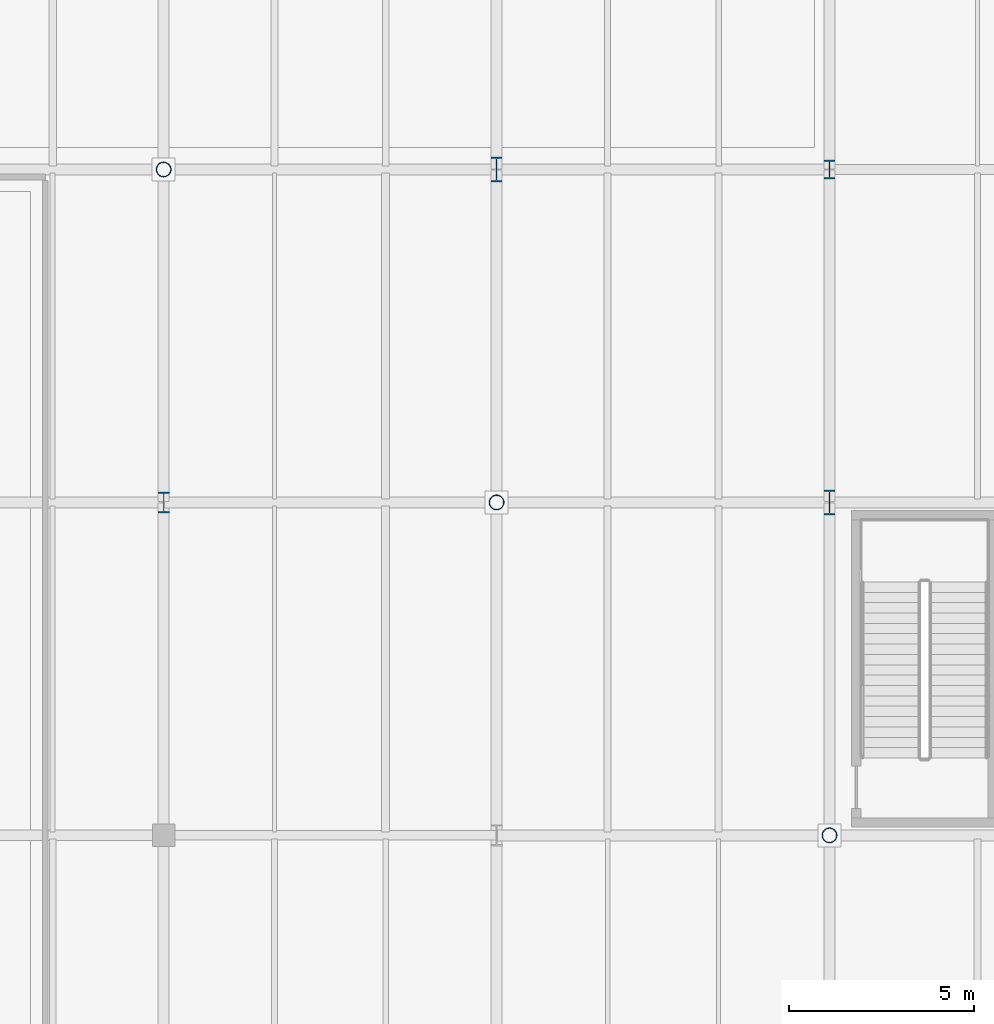
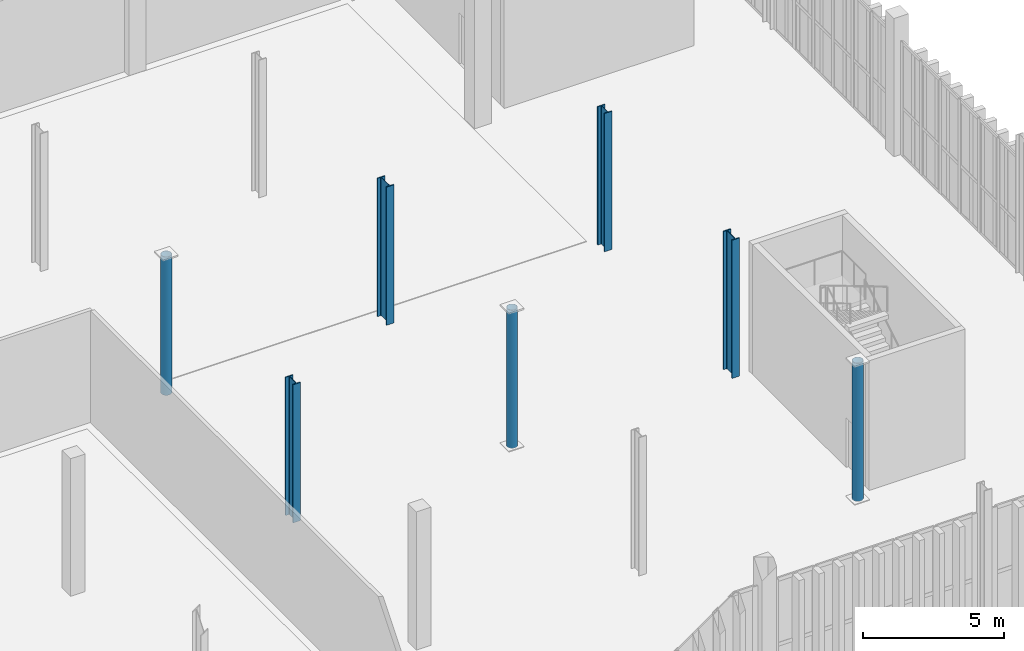
# One storey, part 14 of 211: 7 columns.
"""IFC4 building model written with IfcOpenShell, lengths in metres."""

from ifc_helpers import new_model, si_unit, direction, frame, origin, origin_2d, place, context, subcontext, project, spatial, hollow_circle, i_section, extrude, material, material_profile, profile_set, type_object, element, save


model = new_model("IFC4")

# Units and contexts
model_context = context("Model", 3, precision=1e-05, world=origin(), true_north=direction((0.0, 1.0)))
body_context = subcontext(model_context, "Body", "Model", "MODEL_VIEW")
ifc_project = project(units=[si_unit("LENGTHUNIT", "METRE"), si_unit("AREAUNIT", "SQUARE_METRE"), si_unit("VOLUMEUNIT", "CUBIC_METRE"), si_unit("PLANEANGLEUNIT", "RADIAN"), si_unit("MASSUNIT", "GRAM", prefix="KILO")], contexts=[model_context])

# Site, building, storey
site_placement = place(None, origin())
site = spatial("IfcSite", under=ifc_project, at=site_placement, CompositionType="ELEMENT")
building_placement = place(site_placement, origin())
building = spatial("IfcBuilding", under=site, at=building_placement, Name="Barlavento Convention Centre", CompositionType="ELEMENT")
storey_placement = place(building_placement, frame((0.0, 0.0, 6.0)))
storey = spatial("IfcBuildingStorey", under=building, at=storey_placement, Name="L01", CompositionType="ELEMENT", Elevation=6.0)

# Columns
ifc_material_1 = material(Name="Steel S355", Category="steel")
ifc_material_profile_1 = material_profile(ifc_material_1, hollow_circle(Radius=0.203125, WallThickness=0.01611328125, at=origin_2d()), Name="CHS 406.4x16.0")
ifc_profile_set_1 = profile_set([ifc_material_profile_1], Name="Steel S355")
column_type_1 = type_object("IfcColumnType", Name="STR-COL-CHS406", PredefinedType="COLUMN", material=ifc_profile_set_1)
for number, where, z_axis, x_axis, name in (
    (1, (162.0, 27.0, 0.0), (0.0, 0.0, 1.0), (1.0, 0.0, 0.0), "L01 column SC14"),
    (2, (171.0, 18.0, 0.0), (0.0, 0.0, 1.0), (1.0, 0.0, 0.0), "L01 column SC14"),
    (3, (180.0, 9.0, 0.0), (0.0, 0.0, 1.0), (1.0, 0.0, 0.0), "L01 column SC14"),
):
    element("IfcColumn", number, at=place(storey_placement, frame(where, z_axis=z_axis, x_axis=x_axis)), inside=storey, type_object=column_type_1, Name=name, PredefinedType="COLUMN", context=body_context, shape_type="SweptSolid", body=[
        extrude(hollow_circle(Radius=0.203125, WallThickness=0.01611328125, at=origin_2d()), origin(), (0.0, 0.0, 1.0), 6.0),
    ])
ifc_material_profile_2 = material_profile(ifc_material_1, i_section(OverallWidth=0.305908203125, OverallDepth=0.52392578125, WebThickness=0.02099609375, FlangeThickness=0.0400390625, FilletRadius=0.027099609375, at=origin_2d()), Name="HEM 500")
ifc_profile_set_2 = profile_set([ifc_material_profile_2], Name="Steel S355")
column_type_2 = type_object("IfcColumnType", Name="STR-COL-HEM500", PredefinedType="COLUMN", material=ifc_profile_set_2)
column_1_placement = place(storey_placement, frame((180.0, 27.0, 0.0), z_axis=(0.0, 0.0, 1.0), x_axis=(1.0, 0.0, 0.0)))
element("IfcColumn", 4, at=column_1_placement, inside=storey, type_object=column_type_2, Name="L01 column SC07", PredefinedType="COLUMN", context=body_context, shape_type="SweptSolid", body=[
    extrude(i_section(OverallWidth=0.305908203125, OverallDepth=0.52392578125, WebThickness=0.02099609375, FlangeThickness=0.0400390625, FilletRadius=0.027099609375, at=origin_2d()), origin(), (0.0, 0.0, 1.0), 6.0),
])
ifc_material_profile_3 = material_profile(ifc_material_1, i_section(OverallWidth=0.305908203125, OverallDepth=0.572021484375, WebThickness=0.02099609375, FlangeThickness=0.0400390625, FilletRadius=0.027099609375, at=origin_2d()), Name="HEM 550")
ifc_profile_set_3 = profile_set([ifc_material_profile_3], Name="Steel S355")
column_type_3 = type_object("IfcColumnType", Name="STR-COL-HEM550", PredefinedType="COLUMN", material=ifc_profile_set_3)
column_2_placement = place(storey_placement, frame((162.0, 18.0, 0.0), z_axis=(0.0, 0.0, 1.0), x_axis=(1.0, 0.0, 0.0)))
element("IfcColumn", 5, at=column_2_placement, inside=storey, type_object=column_type_3, Name="L01 column SC06", PredefinedType="COLUMN", context=body_context, shape_type="SweptSolid", body=[
    extrude(i_section(OverallWidth=0.305908203125, OverallDepth=0.572021484375, WebThickness=0.02099609375, FlangeThickness=0.0400390625, FilletRadius=0.027099609375, at=origin_2d()), origin(), (0.0, 0.0, 1.0), 6.0),
])
ifc_material_2 = material(Name="Steel S460", Category="steel")
ifc_material_profile_4 = material_profile(ifc_material_2, i_section(OverallWidth=0.304931640625, OverallDepth=0.66796875, WebThickness=0.02099609375, FlangeThickness=0.0400390625, FilletRadius=0.027099609375, at=origin_2d()), Name="HEM 650")
ifc_profile_set_4 = profile_set([ifc_material_profile_4], Name="Steel S460")
column_type_4 = type_object("IfcColumnType", Name="STR-COL-HEM650", PredefinedType="COLUMN", material=ifc_profile_set_4)
for number, where, z_axis, x_axis, name in (
    (6, (171.0, 27.0, 0.0), (0.0, 0.0, 1.0), (1.0, 0.0, 0.0), "L01 column SC04"),
    (7, (180.0, 18.0, 0.0), (0.0, 0.0, 1.0), (1.0, 0.0, 0.0), "L01 column SC04"),
):
    element("IfcColumn", number, at=place(storey_placement, frame(where, z_axis=z_axis, x_axis=x_axis)), inside=storey, type_object=column_type_4, Name=name, PredefinedType="COLUMN", context=body_context, shape_type="SweptSolid", body=[
        extrude(i_section(OverallWidth=0.304931640625, OverallDepth=0.66796875, WebThickness=0.02099609375, FlangeThickness=0.0400390625, FilletRadius=0.027099609375, at=origin_2d()), origin(), (0.0, 0.0, 1.0), 6.0),
    ])

save(model, "model.ifc")
